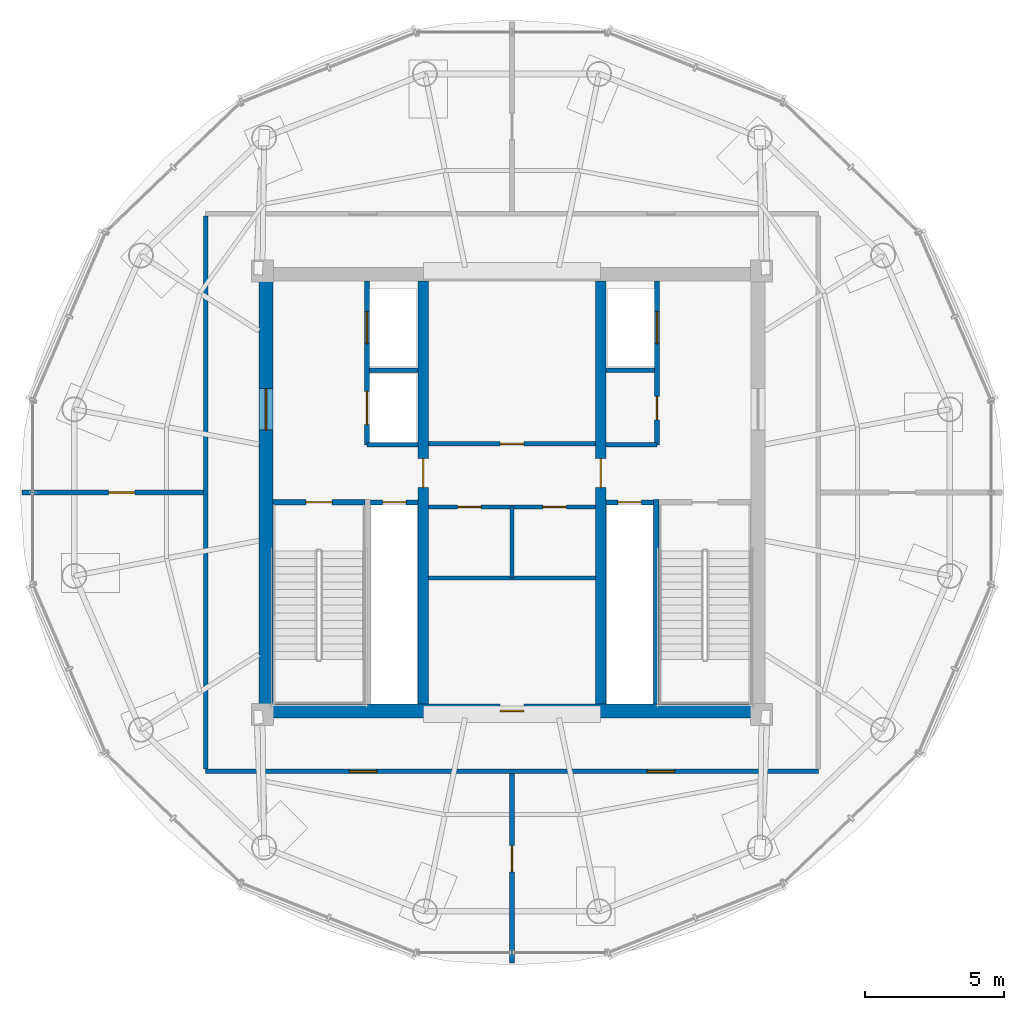
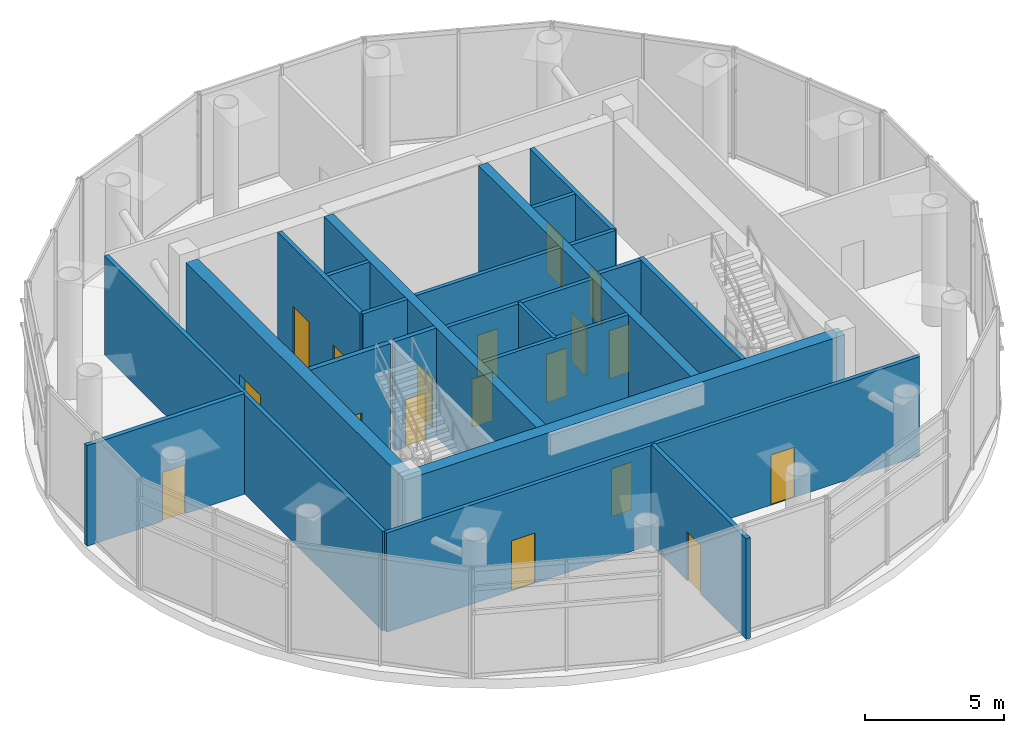
# One storey, part 12 of 15: 22 walls, 18 doors, 18 openings.
"""IFC4 building model written with IfcOpenShell, lengths in metres."""

import ifcopenshell
import ifcopenshell.guid

model = None  # the IFC model being written
_history = None  # IfcOwnerHistory: only IFC2X3 demands one
_inside = {}  # id of a spatial element -> (the spatial element, [elements in it])
_under = {}  # id of a project, library or spatial element -> (it, [spatial elements below it])
_declared = {}  # id of a project -> (the project, [libraries it declares])
_typed = {}  # id of a type object -> (the type object, [elements of that type])
_made_of = {}  # id of a material, layer set ... -> (it, [elements and type objects made of it])


def new_model(schema):
    """Start an empty IFC model of exactly this schema.

    Asked for "IFC4X3", IfcOpenShell would pick the latest addendum, in which some entities
    have other attributes; the version numbers below select the first issue.
    IFC2X3 requires an IfcOwnerHistory on every rooted entity: one is made here for all.
    """
    global model, _history
    if schema == "IFC4X3":
        model = ifcopenshell.file(schema_version=(4, 3, 0, 0))
    else:
        model = ifcopenshell.file(schema=schema)
    _inside.clear()
    _under.clear()
    _declared.clear()
    _typed.clear()
    _made_of.clear()
    _history = None
    if model.schema == "IFC2X3":
        org = make("IfcOrganization", Name="unknown")
        user = make(
            "IfcPersonAndOrganization",
            ThePerson=make("IfcPerson", FamilyName="unknown"),
            TheOrganization=org,
        )
        app = make(
            "IfcApplication",
            ApplicationDeveloper=org,
            Version="unknown",
            ApplicationFullName="unknown",
            ApplicationIdentifier="unknown",
        )
        _history = make(
            "IfcOwnerHistory",
            OwningUser=user,
            OwningApplication=app,
            ChangeAction="ADDED",
            CreationDate=0,
        )
    return model


def make(cls, **values):
    """One entity of the class cls with the attributes given. An attribute that is None is left unset."""
    return model.create_entity(
        cls, **{name: value for name, value in values.items() if value is not None}
    )


def rooted(cls, **values):
    """An entity with a GlobalId (a new one), such as an element, a storey or a relation."""
    return make(cls, GlobalId=ifcopenshell.guid.new(), OwnerHistory=_history, **values)


def si_unit(unit_type, name, prefix=None):
    """IfcSIUnit, for example si_unit("LENGTHUNIT", "METRE", prefix="MILLI")."""
    return make("IfcSIUnit", UnitType=unit_type, Prefix=prefix, Name=name)


def assignment(units):
    """IfcUnitAssignment: the units of a project."""
    return None if units is None else make("IfcUnitAssignment", Units=units)


def point(xyz):
    """IfcCartesianPoint."""
    return None if xyz is None else make("IfcCartesianPoint", Coordinates=xyz)


def direction(xyz):
    """IfcDirection."""
    return None if xyz is None else make("IfcDirection", DirectionRatios=xyz)


def frame(location, z_axis=None, x_axis=None):
    """IfcAxis2Placement3D, a coordinate frame: its origin and axes. An axis left out is left unset."""
    return make(
        "IfcAxis2Placement3D",
        Location=point(location),
        Axis=direction(z_axis),
        RefDirection=direction(x_axis),
    )


def frame_2d(location, x_axis=None):
    """IfcAxis2Placement2D, a coordinate frame in the plane: its origin and x axis."""
    return make(
        "IfcAxis2Placement2D", Location=point(location), RefDirection=direction(x_axis)
    )


def origin():
    """The frame at (0, 0, 0) with its axes left unset."""
    return frame((0.0, 0.0, 0.0))


def place(relative_to, where):
    """IfcLocalPlacement: puts the frame where relative to a parent placement (None: the world)."""
    return make(
        "IfcLocalPlacement", PlacementRelTo=relative_to, RelativePlacement=where
    )


def context(
    kind, dimensions, precision=None, world=None, true_north=None, identifier=None
):
    """IfcGeometricRepresentationContext, for example the 3D "Model" context."""
    return make(
        "IfcGeometricRepresentationContext",
        ContextIdentifier=identifier,
        ContextType=kind,
        CoordinateSpaceDimension=dimensions,
        Precision=precision,
        WorldCoordinateSystem=world,
        TrueNorth=true_north,
    )


def subcontext(parent, identifier, kind, view, scale=None):
    """IfcGeometricRepresentationSubContext, for example "Body" below "Model"."""
    return make(
        "IfcGeometricRepresentationSubContext",
        ContextIdentifier=identifier,
        ContextType=kind,
        ParentContext=parent,
        TargetScale=scale,
        TargetView=view,
    )


def project(units=None, contexts=None):
    """IfcProject with its units and contexts."""
    return rooted(
        "IfcProject",
        Name="project",
        RepresentationContexts=contexts,
        UnitsInContext=assignment(units),
    )


def spatial(cls, under=None, at=None, **own):
    """A site, building, storey or space (cls), placed at a placement, below another one or the project."""
    s = rooted(cls, ObjectPlacement=at, **own)
    if under is not None:
        _under.setdefault(under.id(), (under, []))[1].append(s)
    return s


def profile(cls, at=None, kind="AREA", **sizes):
    """A parametric profile (cls). Its sizes go by their IFC names, for example OverallWidth=200.0."""
    return make(cls, ProfileType=kind, Position=at, **sizes)


def rectangle(**sizes):
    """IfcRectangleProfileDef."""
    return profile("IfcRectangleProfileDef", **sizes)


def extrude(swept, where, along, depth):
    """IfcExtrudedAreaSolid: the profile swept, set in the frame where, extruded along a direction by depth."""
    return make(
        "IfcExtrudedAreaSolid",
        SweptArea=swept,
        Position=where,
        ExtrudedDirection=direction(along),
        Depth=depth,
    )


def shape(context_of_items, identifier, shape_type, items):
    """IfcShapeRepresentation: the items that make up one representation, for example the "Body"."""
    return make(
        "IfcShapeRepresentation",
        ContextOfItems=context_of_items,
        RepresentationIdentifier=identifier,
        RepresentationType=shape_type,
        Items=items,
    )


def source(mapping_origin, context_of_items, identifier, shape_type, items):
    """IfcRepresentationMap: a shape defined once, which mapped items show again and again."""
    return make(
        "IfcRepresentationMap",
        MappingOrigin=mapping_origin,
        MappedRepresentation=shape(context_of_items, identifier, shape_type, items),
    )


def transform(
    local_origin,
    x_axis=None,
    y_axis=None,
    z_axis=None,
    scale=None,
    scale2=None,
    scale3=None,
    uniform=True,
):
    """IfcCartesianTransformationOperator3D, or its non-uniform kind. x_axis, y_axis, z_axis: its Axis1, 2, 3."""
    if uniform:
        return make(
            "IfcCartesianTransformationOperator3D",
            Axis1=direction(x_axis),
            Axis2=direction(y_axis),
            LocalOrigin=point(local_origin),
            Scale=scale,
            Axis3=direction(z_axis),
        )
    return make(
        "IfcCartesianTransformationOperator3DnonUniform",
        Axis1=direction(x_axis),
        Axis2=direction(y_axis),
        LocalOrigin=point(local_origin),
        Scale=scale,
        Axis3=direction(z_axis),
        Scale2=scale2,
        Scale3=scale3,
    )


def mapped(mapping_source, mapping_target):
    """IfcMappedItem: shows the shape of a source again, moved by a transform."""
    return make(
        "IfcMappedItem", MappingSource=mapping_source, MappingTarget=mapping_target
    )


def material(Name=None, Category=None):
    """IfcMaterial."""
    return make("IfcMaterial", Name=Name, Category=Category)


def layer(
    of_material, thickness, ventilated=None, Name=None, Category=None, Priority=None
):
    """IfcMaterialLayer: one layer of a wall or slab, of a material (None: an air gap)."""
    return make(
        "IfcMaterialLayer",
        Material=of_material,
        LayerThickness=thickness,
        IsVentilated=ventilated,
        Name=Name,
        Category=Category,
        Priority=Priority,
    )


def layer_set(layers, Name=None):
    """IfcMaterialLayerSet."""
    return make("IfcMaterialLayerSet", MaterialLayers=layers, LayerSetName=Name)


def made_of(thing, what):
    """Note that an element or type object is made of a material, layer set ...; save() writes the relation."""
    if what is not None:
        _made_of.setdefault(what.id(), (what, []))[1].append(thing)
    return thing


def type_object(cls, material=None, **own):
    """A type object (cls), such as IfcWallType, which elements share."""
    return made_of(rooted(cls, **own), material)


def element(
    cls,
    number,
    at=None,
    inside=None,
    cuts=None,
    type_object=None,
    material=None,
    context=None,
    identifier="Body",
    shape_type=None,
    held_by="IfcProductDefinitionShape",
    body=None,
    shapes=None,
    **own,
):
    """One element of the class cls, such as IfcWall. Its Tag is "e" and its number.

    at: its placement. inside: the storey or other place that contains it. cuts: it is an
    opening in that element (IfcRelVoidsElement). A single representation is given by context,
    identifier, shape_type and body (its items); several are given by shapes. held_by: the class
    of the entity that holds the representations. save() writes the other relations.
    """
    e = rooted(cls, Tag="e%d" % number, ObjectPlacement=at, **own)
    if body is not None:
        shapes = [shape(context, identifier, shape_type, body)]
    if shapes is not None:
        e.Representation = make(held_by, Representations=shapes)
    if inside is not None:
        _inside.setdefault(inside.id(), (inside, []))[1].append(e)
    if cuts is not None:
        rooted(
            "IfcRelVoidsElement", RelatingBuildingElement=cuts, RelatedOpeningElement=e
        )
    if type_object is not None:
        _typed.setdefault(type_object.id(), (type_object, []))[1].append(e)
    return made_of(e, material)


def fill(opening, filler):
    """IfcRelFillsElement: the door or window that sits in an opening."""
    return rooted(
        "IfcRelFillsElement",
        RelatingOpeningElement=opening,
        RelatedBuildingElement=filler,
    )


def aggregate(whole, parts):
    """IfcRelAggregates: a whole, such as a stair, and the parts it consists of."""
    return rooted("IfcRelAggregates", RelatingObject=whole, RelatedObjects=parts)


def save(model, path):
    """Write the relations noted so far, then the file.

    IfcRelAggregates (storeys below a building ...), IfcRelContainedInSpatialStructure (elements
    in a storey), IfcRelDefinesByType, IfcRelAssociatesMaterial and IfcRelDeclares: one each for
    every whole, place, type object, material and project.
    """
    for whole, parts in _under.values():
        aggregate(whole, parts)
    for where, things in _inside.values():
        rooted(
            "IfcRelContainedInSpatialStructure",
            RelatedElements=things,
            RelatingStructure=where,
        )
    for kind, things in _typed.values():
        rooted("IfcRelDefinesByType", RelatedObjects=things, RelatingType=kind)
    for what, things in _made_of.values():
        rooted("IfcRelAssociatesMaterial", RelatedObjects=things, RelatingMaterial=what)
    for by, libraries in _declared.values():
        rooted("IfcRelDeclares", RelatingContext=by, RelatedDefinitions=libraries)
    model.write(path)


model = new_model("IFC4")

# Units and contexts
model_context = context("Model", 3, precision=1e-05, world=origin(), true_north=direction((-0.2419218956, 0.970295726276)))
body_context = subcontext(model_context, "Body", "Model", "MODEL_VIEW")
ifc_project = project(units=[si_unit("LENGTHUNIT", "METRE"), si_unit("AREAUNIT", "SQUARE_METRE"), si_unit("VOLUMEUNIT", "CUBIC_METRE"), si_unit("PLANEANGLEUNIT", "RADIAN"), si_unit("MASSUNIT", "GRAM", prefix="KILO")], contexts=[model_context])

# Site, building, storey
site_placement = place(None, origin())
site = spatial("IfcSite", under=ifc_project, at=site_placement, CompositionType="ELEMENT")
building_placement = place(site_placement, origin())
building = spatial("IfcBuilding", under=site, at=building_placement, Name="Cobrevalo Terracotta Tower", CompositionType="ELEMENT")
storey_placement = place(building_placement, frame((0.0, 0.0, 316.5)))
storey = spatial("IfcBuildingStorey", under=building, at=storey_placement, Name="L82", CompositionType="ELEMENT", Elevation=316.5)

# Wall, opening, door
ifc_material_1 = material(Name="Concrete C50", Category="concrete")
ifc_layer_1 = layer(ifc_material_1, 0.5)
ifc_layer_set_1 = layer_set([ifc_layer_1], Name="Concrete C50")
wall_type_1 = type_object("IfcWallType", Name="Crown core shear wall 500 mm Concrete C50", PredefinedType="SHEAR", material=ifc_layer_set_1)
wall_1_placement = place(storey_placement, frame((28.875, 18.925048828125, 0.0), z_axis=(0.0, 0.0, 1.0), x_axis=(1.0, 0.0, 0.0)))
wall_1 = element("IfcWall", 1, at=wall_1_placement, inside=storey, type_object=wall_type_1, Name="L82 south core shear wall", PredefinedType="SHEAR", context=body_context, shape_type="SweptSolid", body=[
    extrude(rectangle(XDim=18.25, YDim=0.5, at=frame_2d((9.125, 0.0))), origin(), (0.0, 0.0, 1.0), 4.780029296875),
])
opening_1_placement = place(wall_1_placement, frame((8.699951171875, 0.0, 0.0)))
opening_1 = element("IfcOpeningElement", 2, at=opening_1_placement, cuts=wall_1, Name="Opening ID-22", PredefinedType="OPENING", context=body_context, shape_type="SweptSolid", body=[
    extrude(rectangle(XDim=0.85009765625, YDim=2.10009765625, at=frame_2d((0.425048828125, 1.050048828125))), frame((0.0, 0.260009765625, 0.0), z_axis=(0.0, -1.0, 0.0), x_axis=(1.0, 0.0, 0.0)), (0.0, 0.0, 1.0), 0.52001953125),
])
ifc_material_2 = material(Name="Powder-coated steel", Category="steel")
door_type_1 = type_object("IfcDoorType", Name="Riser shaft & meter closet fire access door 850x2100 EI 60", OperationType="NOTDEFINED", PredefinedType="DOOR", material=ifc_material_2)
shared_shape_1 = source(origin(), body_context, "Body", "SweptSolid", [
    extrude(rectangle(XDim=0.85009765625, YDim=2.10009765625, at=frame_2d((0.425048828125, 1.050048828125))), frame((0.0, 0.02490234375, 0.0), z_axis=(0.0, -1.0, 0.0), x_axis=(1.0, 0.0, 0.0)), (0.0, 0.0, 1.0), 0.050048828125),
])
door_1_placement = place(opening_1_placement, origin())
door_1 = element("IfcDoor", 3, at=door_1_placement, inside=storey, type_object=door_type_1, Name="L82 core south plant door Crown Smoke Extract Fan Plant", OperationType="SINGLE_SWING_RIGHT", OverallHeight=2.10009765625, OverallWidth=0.85009765625, PredefinedType="DOOR", context=body_context, shape_type="MappedRepresentation", body=[
    mapped(shared_shape_1, transform((0.0, 0.0, 0.0), scale=1.0)),
])
fill(opening_1, door_1)

wall_2_placement = place(storey_placement, frame((29.125, 19.175048828125, 0.0), z_axis=(0.0, 0.0, 1.0), x_axis=(0.0, 1.0, 0.0)))
wall_2 = element("IfcWall", 4, at=wall_2_placement, inside=storey, type_object=wall_type_1, Name="L82 west core shear wall", PredefinedType="SHEAR", context=body_context, shape_type="SweptSolid", body=[
    extrude(rectangle(XDim=15.25, YDim=0.5, at=frame_2d((7.625, 0.0))), origin(), (0.0, 0.0, 1.0), 4.780029296875),
])
opening_2_placement = place(wall_2_placement, frame((9.875, 0.0, 0.0)))
opening_2 = element("IfcOpeningElement", 5, at=opening_2_placement, cuts=wall_2, Name="Opening ID-14", PredefinedType="OPENING", context=body_context, shape_type="SweptSolid", body=[
    extrude(rectangle(XDim=1.5, YDim=2.199951171875, at=frame_2d((0.75, 1.10009765625))), frame((0.0, 0.260009765625, 0.0), z_axis=(0.0, -1.0, 0.0), x_axis=(1.0, 0.0, 0.0)), (0.0, 0.0, 1.0), 0.52001953125),
])
ifc_material_3 = material(Name="Galvanized fire-rated steel", Category="steel")
door_type_2 = type_object("IfcDoorType", Name="Core cross-lobby double fire door 1500x2200 EI 90", OperationType="NOTDEFINED", PredefinedType="DOOR", material=ifc_material_3)
shared_shape_2 = source(origin(), body_context, "Body", "SweptSolid", [
    extrude(rectangle(XDim=1.5, YDim=2.199951171875, at=frame_2d((0.75, 1.10009765625))), frame((0.0, 0.02490234375, 0.0), z_axis=(0.0, -1.0, 0.0), x_axis=(1.0, 0.0, 0.0)), (0.0, 0.0, 1.0), 0.050048828125),
])
door_2_placement = place(opening_2_placement, origin())
door_2 = element("IfcDoor", 6, at=door_2_placement, inside=storey, type_object=door_type_2, Name="L82 west firefighting lobby entrance door", OperationType="DOUBLE_DOOR_SINGLE_SWING", OverallHeight=2.199951171875, OverallWidth=1.5, PredefinedType="DOOR", context=body_context, shape_type="MappedRepresentation", body=[
    mapped(shared_shape_2, transform((0.0, 0.0, 0.0), scale=1.0)),
])
fill(opening_2, door_2)

# Walls
ifc_material_4 = material(Name="Gypsum board on steel stud", Category="steel")
ifc_layer_2 = layer(ifc_material_4, 0.159912109375)
ifc_layer_set_2 = layer_set([ifc_layer_2], Name="Gypsum board on steel stud")
wall_type_2 = type_object("IfcWallType", Name="Fire-rated corridor acoustic partition wall 160 mm", PredefinedType="PARTITIONING", material=ifc_layer_set_2)
wall_3_placement = place(storey_placement, frame((32.860107421875, 31.219970703125, 0.0), z_axis=(0.0, 0.0, 1.0), x_axis=(1.0, 0.0, 0.0)))
element("IfcWall", 7, at=wall_3_placement, inside=storey, type_object=wall_type_2, Name="L82 interior partition IW-L82-FF1-M", PredefinedType="PARTITIONING", context=body_context, shape_type="SweptSolid", body=[
    extrude(rectangle(XDim=1.75, YDim=0.159912109375, at=frame_2d((0.875, 0.0))), origin(), (0.0, 0.0, 1.0), 4.780029296875),
])
wall_4_placement = place(storey_placement, frame((32.77001953125, 28.52001953125, 0.0), z_axis=(0.0, 0.0, 1.0), x_axis=(1.0, 0.0, 0.0)))
element("IfcWall", 8, at=wall_4_placement, inside=storey, type_object=wall_type_2, Name="L82 interior partition IW-L82-FF1-S", PredefinedType="PARTITIONING", context=body_context, shape_type="SweptSolid", body=[
    extrude(rectangle(XDim=1.840087890625, YDim=0.159912109375, at=frame_2d((0.919921875, 0.0))), origin(), (0.0, 0.0, 1.0), 4.780029296875),
])
wall_5_placement = place(storey_placement, frame((41.389892578125, 31.219970703125, 0.0), z_axis=(0.0, 0.0, 1.0), x_axis=(1.0, 0.0, 0.0)))
element("IfcWall", 9, at=wall_5_placement, inside=storey, type_object=wall_type_2, Name="L82 interior partition IW-L82-FF2-M", PredefinedType="PARTITIONING", context=body_context, shape_type="SweptSolid", body=[
    extrude(rectangle(XDim=1.75, YDim=0.159912109375, at=frame_2d((0.875, 0.0))), origin(), (0.0, 0.0, 1.0), 4.780029296875),
])
wall_6_placement = place(storey_placement, frame((41.389892578125, 28.52001953125, 0.0), z_axis=(0.0, 0.0, 1.0), x_axis=(1.0, 0.0, 0.0)))
element("IfcWall", 10, at=wall_6_placement, inside=storey, type_object=wall_type_2, Name="L82 interior partition IW-L82-FF2-S", PredefinedType="PARTITIONING", context=body_context, shape_type="SweptSolid", body=[
    extrude(rectangle(XDim=1.840087890625, YDim=0.159912109375, at=frame_2d((0.919921875, 0.0))), origin(), (0.0, 0.0, 1.0), 4.780029296875),
])

# Wall, opening, door
wall_7_placement = place(storey_placement, frame((34.989990234375, 28.56005859375, 0.0), z_axis=(0.0, 0.0, 1.0), x_axis=(1.0, 0.0, 0.0)))
wall_7 = element("IfcWall", 11, at=wall_7_placement, inside=storey, type_object=wall_type_2, Name="L82 interior partition IW-L82-LB-S", PredefinedType="PARTITIONING", context=body_context, shape_type="SweptSolid", body=[
    extrude(rectangle(XDim=6.02001953125, YDim=0.159912109375, at=frame_2d((3.010009765625, 0.0))), origin(), (0.0, 0.0, 1.0), 4.780029296875),
])
opening_3_placement = place(wall_7_placement, frame((2.5849609375, 0.0, 0.0)))
opening_3 = element("IfcOpeningElement", 12, at=opening_3_placement, cuts=wall_7, Name="Opening ID-22", PredefinedType="OPENING", context=body_context, shape_type="SweptSolid", body=[
    extrude(rectangle(XDim=0.85009765625, YDim=2.10009765625, at=frame_2d((0.425048828125, 1.050048828125))), frame((0.0, 0.08984375, 0.0), z_axis=(0.0, -1.0, 0.0), x_axis=(1.0, 0.0, 0.0)), (0.0, 0.0, 1.0), 0.179931640625),
])
door_3_placement = place(opening_3_placement, origin())
door_3 = element("IfcDoor", 13, at=door_3_placement, inside=storey, type_object=door_type_1, Name="L82 core service door Crown HV Switchroom Plant", OperationType="SINGLE_SWING_LEFT", OverallHeight=2.10009765625, OverallWidth=0.85009765625, PredefinedType="DOOR", context=body_context, shape_type="MappedRepresentation", body=[
    mapped(shared_shape_1, transform((0.0, 0.0, 0.0), scale=1.0)),
])
fill(opening_3, door_3)

# Wall, openings, doors
wall_8_placement = place(storey_placement, frame((34.989990234375, 26.280029296875, 0.0), z_axis=(0.0, 0.0, 1.0), x_axis=(1.0, 0.0, 0.0)))
wall_8 = element("IfcWall", 14, at=wall_8_placement, inside=storey, type_object=wall_type_2, Name="L82 interior partition IW-L82-MB-N", PredefinedType="PARTITIONING", context=body_context, shape_type="SweptSolid", body=[
    extrude(rectangle(XDim=6.02001953125, YDim=0.159912109375, at=frame_2d((3.010009765625, 0.0))), origin(), (0.0, 0.0, 1.0), 4.780029296875),
])
opening_4_placement = place(wall_8_placement, frame((1.044921875, 0.0, 0.0)))
opening_4 = element("IfcOpeningElement", 15, at=opening_4_placement, cuts=wall_8, Name="Opening ID-22", PredefinedType="OPENING", context=body_context, shape_type="SweptSolid", body=[
    extrude(rectangle(XDim=0.85009765625, YDim=2.10009765625, at=frame_2d((0.425048828125, 1.050048828125))), frame((0.0, 0.08984375, 0.0), z_axis=(0.0, -1.0, 0.0), x_axis=(1.0, 0.0, 0.0)), (0.0, 0.0, 1.0), 0.179931640625),
])
opening_5_placement = place(wall_8_placement, frame((4.125, 0.0, 0.0)))
opening_5 = element("IfcOpeningElement", 16, at=opening_5_placement, cuts=wall_8, Name="Opening ID-22", PredefinedType="OPENING", context=body_context, shape_type="SweptSolid", body=[
    extrude(rectangle(XDim=0.85009765625, YDim=2.10009765625, at=frame_2d((0.425048828125, 1.050048828125))), frame((0.0, 0.08984375, 0.0), z_axis=(0.0, -1.0, 0.0), x_axis=(1.0, 0.0, 0.0)), (0.0, 0.0, 1.0), 0.179931640625),
])
door_4_placement = place(opening_4_placement, frame((0.85009765625, 0.0, 0.0), z_axis=(0.0, 0.0, 1.0), x_axis=(-1.0, 0.0, 0.0)))
door_4 = element("IfcDoor", 17, at=door_4_placement, inside=storey, type_object=door_type_1, Name="L82 core room door Crown Chilled Water Pump Plant", OperationType="SINGLE_SWING_RIGHT", OverallHeight=2.10009765625, OverallWidth=0.85009765625, PredefinedType="DOOR", context=body_context, shape_type="MappedRepresentation", body=[
    mapped(shared_shape_1, transform((0.0, 0.0, 0.0), scale=1.0)),
])
fill(opening_4, door_4)
door_5_placement = place(opening_5_placement, frame((0.85009765625, 0.0, 0.0), z_axis=(0.0, 0.0, 1.0), x_axis=(-1.0, 0.0, 0.0)))
door_5 = element("IfcDoor", 18, at=door_5_placement, inside=storey, type_object=door_type_1, Name="L82 core room door Crown Lift Motor Mechanical Plant", OperationType="SINGLE_SWING_RIGHT", OverallHeight=2.10009765625, OverallWidth=0.85009765625, PredefinedType="DOOR", context=body_context, shape_type="MappedRepresentation", body=[
    mapped(shared_shape_1, transform((0.0, 0.0, 0.0), scale=1.0)),
])
fill(opening_5, door_5)

# Wall
wall_9_placement = place(storey_placement, frame((34.989990234375, 23.719970703125, 0.0), z_axis=(0.0, 0.0, 1.0), x_axis=(1.0, 0.0, 0.0)))
element("IfcWall", 19, at=wall_9_placement, inside=storey, type_object=wall_type_2, Name="L82 interior partition IW-L82-MB-S", PredefinedType="PARTITIONING", context=body_context, shape_type="SweptSolid", body=[
    extrude(rectangle(XDim=6.02001953125, YDim=0.159912109375, at=frame_2d((3.010009765625, 0.0))), origin(), (0.0, 0.0, 1.0), 4.780029296875),
])

# Wall, openings, doors
wall_10_placement = place(storey_placement, frame((26.945068359375, 16.7451171875, 0.0), z_axis=(0.0, 0.0, 1.0), x_axis=(1.0, 0.0, 0.0)))
wall_10 = element("IfcWall", 20, at=wall_10_placement, inside=storey, type_object=wall_type_2, Name="L82 interior partition IW-L82-COR-S", PredefinedType="PARTITIONING", context=body_context, shape_type="SweptSolid", body=[
    extrude(rectangle(XDim=22.10986328125, YDim=0.159912109375, at=frame_2d((11.054931640625, 0.0))), origin(), (0.0, 0.0, 1.0), 4.35205078125),
])
opening_6_placement = place(wall_10_placement, frame((5.18701171875, 0.0, 0.0)))
opening_6 = element("IfcOpeningElement", 21, at=opening_6_placement, cuts=wall_10, Name="Opening ID-05", PredefinedType="OPENING", context=body_context, shape_type="SweptSolid", body=[
    extrude(rectangle(XDim=0.97998046875, YDim=2.199951171875, at=frame_2d((0.489990234375, 1.10009765625))), frame((0.0, 0.08984375, 0.0), z_axis=(0.0, -1.0, 0.0), x_axis=(1.0, 0.0, 0.0)), (0.0, 0.0, 1.0), 0.179931640625),
])
opening_7_placement = place(wall_10_placement, frame((15.943115234375, 0.0, 0.0)))
opening_7 = element("IfcOpeningElement", 22, at=opening_7_placement, cuts=wall_10, Name="Opening ID-05", PredefinedType="OPENING", context=body_context, shape_type="SweptSolid", body=[
    extrude(rectangle(XDim=0.97998046875, YDim=2.199951171875, at=frame_2d((0.489990234375, 1.10009765625))), frame((0.0, 0.08984375, 0.0), z_axis=(0.0, -1.0, 0.0), x_axis=(1.0, 0.0, 0.0)), (0.0, 0.0, 1.0), 0.179931640625),
])
ifc_material_5 = material(Name="Solid hardwood timber", Category="wood")
door_type_3 = type_object("IfcDoorType", Name="Residence entrance fire-rated acoustic timber door 980x2200 EI 60", OperationType="NOTDEFINED", PredefinedType="DOOR", material=ifc_material_5)
shared_shape_3 = source(origin(), body_context, "Body", "SweptSolid", [
    extrude(rectangle(XDim=0.97998046875, YDim=2.199951171875, at=frame_2d((0.489990234375, 1.10009765625))), frame((0.0, 0.02490234375, 0.0), z_axis=(0.0, -1.0, 0.0), x_axis=(1.0, 0.0, 0.0)), (0.0, 0.0, 1.0), 0.050048828125),
])
door_6_placement = place(opening_6_placement, origin())
door_6 = element("IfcDoor", 23, at=door_6_placement, inside=storey, type_object=door_type_3, Name="L82 Crown Water Tank Room door", OperationType="SINGLE_SWING_LEFT", OverallHeight=2.199951171875, OverallWidth=0.97998046875, PredefinedType="DOOR", context=body_context, shape_type="MappedRepresentation", body=[
    mapped(shared_shape_3, transform((0.0, 0.0, 0.0), scale=1.0)),
])
fill(opening_6, door_6)
door_7_placement = place(opening_7_placement, origin())
door_7 = element("IfcDoor", 24, at=door_7_placement, inside=storey, type_object=door_type_3, Name="L82 Crown Switchroom Plant door", OperationType="SINGLE_SWING_RIGHT", OverallHeight=2.199951171875, OverallWidth=0.97998046875, PredefinedType="DOOR", context=body_context, shape_type="MappedRepresentation", body=[
    mapped(shared_shape_3, transform((0.0, 0.0, 0.0), scale=1.0)),
])
fill(opening_7, door_7)

# Wall
wall_11_placement = place(storey_placement, frame((26.945068359375, 16.824951171875, 0.0), z_axis=(0.0, 0.0, 1.0), x_axis=(0.0, 1.0, 0.0)))
element("IfcWall", 25, at=wall_11_placement, inside=storey, type_object=wall_type_2, Name="L82 interior partition IW-L82-COR-W", PredefinedType="PARTITIONING", context=body_context, shape_type="SweptSolid", body=[
    extrude(rectangle(XDim=19.949951171875, YDim=0.159912109375, at=frame_2d((9.97509765625, 0.0))), origin(), (0.0, 0.0, 1.0), 4.35205078125),
])

# Wall, opening, door
ifc_layer_3 = layer(ifc_material_4, 0.179931640625)
ifc_layer_set_3 = layer_set([ifc_layer_3], Name="Gypsum board on steel stud")
wall_type_3 = type_object("IfcWallType", Name="Fire-rated shaft & lobby acoustic partition wall 180 mm", PredefinedType="PARTITIONING", material=ifc_layer_set_3)
wall_12_placement = place(storey_placement, frame((32.89990234375, 26.449951171875, 0.0), z_axis=(0.0, 0.0, 1.0), x_axis=(1.0, 0.0, 0.0)))
wall_12 = element("IfcWall", 26, at=wall_12_placement, inside=storey, type_object=wall_type_3, Name="L82 interior partition IW-L82-RSW-N", PredefinedType="PARTITIONING", context=body_context, shape_type="SweptSolid", body=[
    extrude(rectangle(XDim=1.710205078125, YDim=0.179931640625, at=frame_2d((0.85498046875, 0.0))), origin(), (0.0, 0.0, 1.0), 4.780029296875),
])
opening_8_placement = place(wall_12_placement, frame((0.429931640625, 0.0, 0.0)))
opening_8 = element("IfcOpeningElement", 27, at=opening_8_placement, cuts=wall_12, Name="Opening ID-22", PredefinedType="OPENING", context=body_context, shape_type="SweptSolid", body=[
    extrude(rectangle(XDim=0.85009765625, YDim=2.10009765625, at=frame_2d((0.425048828125, 1.050048828125))), frame((0.0, 0.10009765625, 0.0), z_axis=(0.0, -1.0, 0.0), x_axis=(1.0, 0.0, 0.0)), (0.0, 0.0, 1.0), 0.199951171875),
])
door_8_placement = place(opening_8_placement, origin())
door_8 = element("IfcDoor", 28, at=door_8_placement, inside=storey, type_object=door_type_1, Name="L82 riser access door RSW", OperationType="SINGLE_SWING_LEFT", OverallHeight=2.10009765625, OverallWidth=0.85009765625, PredefinedType="DOOR", context=body_context, shape_type="MappedRepresentation", body=[
    mapped(shared_shape_1, transform((0.0, 0.0, 0.0), scale=1.0)),
])
fill(opening_8, door_8)

wall_13_placement = place(storey_placement, frame((41.389892578125, 26.449951171875, 0.0), z_axis=(0.0, 0.0, 1.0), x_axis=(1.0, 0.0, 0.0)))
wall_13 = element("IfcWall", 29, at=wall_13_placement, inside=storey, type_object=wall_type_3, Name="L82 interior partition IW-L82-RSE-N", PredefinedType="PARTITIONING", context=body_context, shape_type="SweptSolid", body=[
    extrude(rectangle(XDim=1.710205078125, YDim=0.179931640625, at=frame_2d((0.85498046875, 0.0))), origin(), (0.0, 0.0, 1.0), 4.780029296875),
])
opening_9_placement = place(wall_13_placement, frame((0.429931640625, 0.0, 0.0)))
opening_9 = element("IfcOpeningElement", 30, at=opening_9_placement, cuts=wall_13, Name="Opening ID-22", PredefinedType="OPENING", context=body_context, shape_type="SweptSolid", body=[
    extrude(rectangle(XDim=0.85009765625, YDim=2.10009765625, at=frame_2d((0.425048828125, 1.050048828125))), frame((0.0, 0.10009765625, 0.0), z_axis=(0.0, -1.0, 0.0), x_axis=(1.0, 0.0, 0.0)), (0.0, 0.0, 1.0), 0.199951171875),
])
door_9_placement = place(opening_9_placement, origin())
door_9 = element("IfcDoor", 31, at=door_9_placement, inside=storey, type_object=door_type_1, Name="L82 riser access door RSE", OperationType="SINGLE_SWING_RIGHT", OverallHeight=2.10009765625, OverallWidth=0.85009765625, PredefinedType="DOOR", context=body_context, shape_type="MappedRepresentation", body=[
    mapped(shared_shape_1, transform((0.0, 0.0, 0.0), scale=1.0)),
])
fill(opening_9, door_9)

# Wall, openings, doors
wall_14_placement = place(storey_placement, frame((32.77001953125, 28.52001953125, 0.0), z_axis=(0.0, 0.0, 1.0), x_axis=(0.0, 1.0, 0.0)))
wall_14 = element("IfcWall", 32, at=wall_14_placement, inside=storey, type_object=wall_type_3, Name="L82 interior partition IW-L82-FF1-W", PredefinedType="PARTITIONING", context=body_context, shape_type="SweptSolid", body=[
    extrude(rectangle(XDim=5.905029296875, YDim=0.179931640625, at=frame_2d((2.95263671875, 0.0))), origin(), (0.0, 0.0, 1.0), 4.780029296875),
])
opening_10_placement = place(wall_14_placement, frame((3.655029296875, 0.0, 0.0)))
opening_10 = element("IfcOpeningElement", 33, at=opening_10_placement, cuts=wall_14, Name="Opening LD-02", PredefinedType="OPENING", context=body_context, shape_type="SweptSolid", body=[
    extrude(rectangle(XDim=1.14990234375, YDim=2.199951171875, at=frame_2d((0.574951171875, 1.10009765625))), frame((0.0, 0.10009765625, 0.0), z_axis=(0.0, -1.0, 0.0), x_axis=(1.0, 0.0, 0.0)), (0.0, 0.0, 1.0), 0.199951171875),
])
opening_11_placement = place(wall_14_placement, frame((0.72998046875, 0.0, 0.0)))
opening_11 = element("IfcOpeningElement", 34, at=opening_11_placement, cuts=wall_14, Name="Opening LD-03", PredefinedType="OPENING", context=body_context, shape_type="SweptSolid", body=[
    extrude(rectangle(XDim=1.199951171875, YDim=2.25, at=frame_2d((0.60009765625, 1.125))), frame((0.0, 0.10009765625, 0.0), z_axis=(0.0, -1.0, 0.0), x_axis=(1.0, 0.0, 0.0)), (0.0, 0.0, 1.0), 0.199951171875),
])
ifc_material_6 = material(Name="Brushed stainless steel", Category="steel")
door_type_4 = type_object("IfcDoorType", Name="Firefighting lift landing bi-parting sliding door 1150x2200 EI 120", OperationType="DOUBLE_DOOR_SLIDING", PredefinedType="DOOR", material=ifc_material_6)
shared_shape_4 = source(origin(), body_context, "Body", "SweptSolid", [
    extrude(rectangle(XDim=1.14990234375, YDim=2.199951171875, at=frame_2d((0.574951171875, 1.10009765625))), frame((0.0, 0.02490234375, 0.0), z_axis=(0.0, -1.0, 0.0), x_axis=(1.0, 0.0, 0.0)), (0.0, 0.0, 1.0), 0.050048828125),
])
door_10_placement = place(opening_10_placement, origin())
door_10 = element("IfcDoor", 35, at=door_10_placement, inside=storey, type_object=door_type_4, Name="L82 lift landing door FF-1", OperationType="DOUBLE_DOOR_SLIDING", OverallHeight=2.199951171875, OverallWidth=1.14990234375, PredefinedType="DOOR", context=body_context, shape_type="MappedRepresentation", body=[
    mapped(shared_shape_4, transform((0.0, 0.0, 0.0), scale=1.0)),
])
fill(opening_10, door_10)
door_type_5 = type_object("IfcDoorType", Name="Service lift landing bi-parting sliding door 1200x2250 EI 120", OperationType="DOUBLE_DOOR_SLIDING", PredefinedType="DOOR", material=ifc_material_6)
shared_shape_5 = source(origin(), body_context, "Body", "SweptSolid", [
    extrude(rectangle(XDim=1.199951171875, YDim=2.25, at=frame_2d((0.60009765625, 1.125))), frame((0.0, 0.02490234375, 0.0), z_axis=(0.0, -1.0, 0.0), x_axis=(1.0, 0.0, 0.0)), (0.0, 0.0, 1.0), 0.050048828125),
])
door_11_placement = place(opening_11_placement, origin())
door_11 = element("IfcDoor", 36, at=door_11_placement, inside=storey, type_object=door_type_5, Name="L82 lift landing door SV-1", OperationType="DOUBLE_DOOR_SLIDING", OverallHeight=2.25, OverallWidth=1.199951171875, PredefinedType="DOOR", context=body_context, shape_type="MappedRepresentation", body=[
    mapped(shared_shape_5, transform((0.0, 0.0, 0.0), scale=1.0)),
])
fill(opening_11, door_11)

wall_15_placement = place(storey_placement, frame((43.22998046875, 28.52001953125, 0.0), z_axis=(0.0, 0.0, 1.0), x_axis=(0.0, 1.0, 0.0)))
wall_15 = element("IfcWall", 37, at=wall_15_placement, inside=storey, type_object=wall_type_3, Name="L82 interior partition IW-L82-FF2-E", PredefinedType="PARTITIONING", context=body_context, shape_type="SweptSolid", body=[
    extrude(rectangle(XDim=5.905029296875, YDim=0.179931640625, at=frame_2d((2.95263671875, 0.0))), origin(), (0.0, 0.0, 1.0), 4.780029296875),
])
opening_12_placement = place(wall_15_placement, frame((0.905029296875, 0.0, 0.0)))
opening_12 = element("IfcOpeningElement", 38, at=opening_12_placement, cuts=wall_15, Name="Opening ID-22", PredefinedType="OPENING", context=body_context, shape_type="SweptSolid", body=[
    extrude(rectangle(XDim=0.85009765625, YDim=2.10009765625, at=frame_2d((0.425048828125, 1.050048828125))), frame((0.0, 0.10009765625, 0.0), z_axis=(0.0, -1.0, 0.0), x_axis=(1.0, 0.0, 0.0)), (0.0, 0.0, 1.0), 0.199951171875),
])
opening_13_placement = place(wall_15_placement, frame((3.655029296875, 0.0, 0.0)))
opening_13 = element("IfcOpeningElement", 39, at=opening_13_placement, cuts=wall_15, Name="Opening LD-02", PredefinedType="OPENING", context=body_context, shape_type="SweptSolid", body=[
    extrude(rectangle(XDim=1.14990234375, YDim=2.199951171875, at=frame_2d((0.574951171875, 1.10009765625))), frame((0.0, 0.10009765625, 0.0), z_axis=(0.0, -1.0, 0.0), x_axis=(1.0, 0.0, 0.0)), (0.0, 0.0, 1.0), 0.199951171875),
])
door_12_placement = place(opening_12_placement, frame((0.85009765625, 0.0, 0.0), z_axis=(0.0, 0.0, 1.0), x_axis=(-1.0, 0.0, 0.0)))
door_12 = element("IfcDoor", 40, at=door_12_placement, inside=storey, type_object=door_type_1, Name="L82 housekeeping store door", OperationType="SINGLE_SWING_RIGHT", OverallHeight=2.10009765625, OverallWidth=0.85009765625, PredefinedType="DOOR", context=body_context, shape_type="MappedRepresentation", body=[
    mapped(shared_shape_1, transform((0.0, 0.0, 0.0), scale=1.0)),
])
fill(opening_12, door_12)
door_13_placement = place(opening_13_placement, origin())
door_13 = element("IfcDoor", 41, at=door_13_placement, inside=storey, type_object=door_type_4, Name="L82 lift landing door FF-2", OperationType="DOUBLE_DOOR_SLIDING", OverallHeight=2.199951171875, OverallWidth=1.14990234375, PredefinedType="DOOR", context=body_context, shape_type="MappedRepresentation", body=[
    mapped(shared_shape_4, transform((0.0, 0.0, 0.0), scale=1.0)),
])
fill(opening_13, door_13)

# Wall, opening, door
wall_16_placement = place(storey_placement, frame((26.863037109375, 26.800048828125, 0.0), z_axis=(0.0, 0.0, 1.0), x_axis=(-1.0, 0.0, 0.0)))
wall_16 = element("IfcWall", 42, at=wall_16_placement, inside=storey, type_object=wall_type_3, Name="L82 interior partition IW-L82-CW3", PredefinedType="PARTITIONING", context=body_context, shape_type="SweptSolid", body=[
    extrude(rectangle(XDim=6.532958984375, YDim=0.179931640625, at=frame_2d((3.2666015625, 0.0))), origin(), (0.0, 0.0, 1.0), 4.410888671875),
])
opening_14_placement = place(wall_16_placement, frame((2.46484375, 0.0, 0.0)))
opening_14 = element("IfcOpeningElement", 43, at=opening_14_placement, cuts=wall_16, Name="Opening ID-04", PredefinedType="OPENING", context=body_context, shape_type="SweptSolid", body=[
    extrude(rectangle(XDim=0.949951171875, YDim=2.14990234375, at=frame_2d((0.47509765625, 1.074951171875))), frame((0.0, 0.10009765625, 0.0), z_axis=(0.0, -1.0, 0.0), x_axis=(1.0, 0.0, 0.0)), (0.0, 0.0, 1.0), 0.199951171875),
])
door_type_6 = type_object("IfcDoorType", Name="Stair & firefighting lobby fire door 950x2150 EI 90", OperationType="NOTDEFINED", PredefinedType="DOOR", material=ifc_material_3)
shared_shape_6 = source(origin(), body_context, "Body", "SweptSolid", [
    extrude(rectangle(XDim=0.949951171875, YDim=2.14990234375, at=frame_2d((0.47509765625, 1.074951171875))), frame((0.0, 0.02490234375, 0.0), z_axis=(0.0, -1.0, 0.0), x_axis=(1.0, 0.0, 0.0)), (0.0, 0.0, 1.0), 0.050048828125),
])
door_14_placement = place(opening_14_placement, origin())
door_14 = element("IfcDoor", 44, at=door_14_placement, inside=storey, type_object=door_type_6, Name="L82 crown plant interconnecting fire door 3", OperationType="SINGLE_SWING_LEFT", OverallHeight=2.14990234375, OverallWidth=0.949951171875, PredefinedType="DOOR", context=body_context, shape_type="MappedRepresentation", body=[
    mapped(shared_shape_6, transform((0.0, 0.0, 0.0), scale=1.0)),
])
fill(opening_14, door_14)

wall_17_placement = place(storey_placement, frame((38.0, 16.6630859375, 0.0), z_axis=(0.0, 0.0, 1.0), x_axis=(0.0, -1.0, 0.0)))
wall_17 = element("IfcWall", 45, at=wall_17_placement, inside=storey, type_object=wall_type_3, Name="L82 interior partition IW-L82-CW4", PredefinedType="PARTITIONING", context=body_context, shape_type="SweptSolid", body=[
    extrude(rectangle(XDim=6.8330078125, YDim=0.179931640625, at=frame_2d((3.41650390625, 0.0))), origin(), (0.0, 0.0, 1.0), 4.410888671875),
])
opening_15_placement = place(wall_17_placement, frame((2.599853515625, 0.0, 0.0)))
opening_15 = element("IfcOpeningElement", 46, at=opening_15_placement, cuts=wall_17, Name="Opening ID-04", PredefinedType="OPENING", context=body_context, shape_type="SweptSolid", body=[
    extrude(rectangle(XDim=0.949951171875, YDim=2.14990234375, at=frame_2d((0.47509765625, 1.074951171875))), frame((0.0, 0.10009765625, 0.0), z_axis=(0.0, -1.0, 0.0), x_axis=(1.0, 0.0, 0.0)), (0.0, 0.0, 1.0), 0.199951171875),
])
door_15_placement = place(opening_15_placement, origin())
door_15 = element("IfcDoor", 47, at=door_15_placement, inside=storey, type_object=door_type_6, Name="L82 crown plant interconnecting fire door 4", OperationType="SINGLE_SWING_LEFT", OverallHeight=2.14990234375, OverallWidth=0.949951171875, PredefinedType="DOOR", context=body_context, shape_type="MappedRepresentation", body=[
    mapped(shared_shape_6, transform((0.0, 0.0, 0.0), scale=1.0)),
])
fill(opening_15, door_15)

ifc_layer_4 = layer(ifc_material_1, 0.3798828125)
ifc_layer_set_4 = layer_set([ifc_layer_4], Name="Concrete C50")
wall_type_4 = type_object("IfcWallType", Name="Internal core shear web wall 380 mm Concrete C50", PredefinedType="SHEAR", material=ifc_layer_set_4)
wall_18_placement = place(storey_placement, frame((34.800048828125, 19.175048828125, 0.0), z_axis=(0.0, 0.0, 1.0), x_axis=(0.0, 1.0, 0.0)))
wall_18 = element("IfcWall", 48, at=wall_18_placement, inside=storey, type_object=wall_type_4, Name="L82 internal core shear wall WEB-W", PredefinedType="SHEAR", context=body_context, shape_type="SweptSolid", body=[
    extrude(rectangle(XDim=15.25, YDim=0.3798828125, at=frame_2d((7.625, 0.0))), origin(), (0.0, 0.0, 1.0), 4.780029296875),
])
opening_16_placement = place(wall_18_placement, frame((7.800048828125, 0.0, 0.0)))
opening_16 = element("IfcOpeningElement", 49, at=opening_16_placement, cuts=wall_18, Name="Opening ID-11", PredefinedType="OPENING", context=body_context, shape_type="SweptSolid", body=[
    extrude(rectangle(XDim=1.050048828125, YDim=2.14990234375, at=frame_2d((0.52490234375, 1.074951171875))), frame((0.0, 0.199951171875, 0.0), z_axis=(0.0, -1.0, 0.0), x_axis=(1.0, 0.0, 0.0)), (0.0, 0.0, 1.0), 0.39990234375),
])
door_type_7 = type_object("IfcDoorType", Name="Core concourse cross fire door 1050x2150 EI 90", OperationType="NOTDEFINED", PredefinedType="DOOR", material=ifc_material_3)
shared_shape_7 = source(origin(), body_context, "Body", "SweptSolid", [
    extrude(rectangle(XDim=1.050048828125, YDim=2.14990234375, at=frame_2d((0.52490234375, 1.074951171875))), frame((0.0, 0.02490234375, 0.0), z_axis=(0.0, -1.0, 0.0), x_axis=(1.0, 0.0, 0.0)), (0.0, 0.0, 1.0), 0.050048828125),
])
door_16_placement = place(opening_16_placement, origin())
door_16 = element("IfcDoor", 50, at=door_16_placement, inside=storey, type_object=door_type_7, Name="L82 west core concourse cross door", OperationType="SINGLE_SWING_LEFT", OverallHeight=2.14990234375, OverallWidth=1.050048828125, PredefinedType="DOOR", context=body_context, shape_type="MappedRepresentation", body=[
    mapped(shared_shape_7, transform((0.0, 0.0, 0.0), scale=1.0)),
])
fill(opening_16, door_16)

wall_19_placement = place(storey_placement, frame((41.199951171875, 19.175048828125, 0.0), z_axis=(0.0, 0.0, 1.0), x_axis=(0.0, 1.0, 0.0)))
wall_19 = element("IfcWall", 51, at=wall_19_placement, inside=storey, type_object=wall_type_4, Name="L82 internal core shear wall WEB-E", PredefinedType="SHEAR", context=body_context, shape_type="SweptSolid", body=[
    extrude(rectangle(XDim=15.25, YDim=0.3798828125, at=frame_2d((7.625, 0.0))), origin(), (0.0, 0.0, 1.0), 4.780029296875),
])
opening_17_placement = place(wall_19_placement, frame((7.800048828125, 0.0, 0.0)))
opening_17 = element("IfcOpeningElement", 52, at=opening_17_placement, cuts=wall_19, Name="Opening ID-11", PredefinedType="OPENING", context=body_context, shape_type="SweptSolid", body=[
    extrude(rectangle(XDim=1.050048828125, YDim=2.14990234375, at=frame_2d((0.52490234375, 1.074951171875))), frame((0.0, 0.199951171875, 0.0), z_axis=(0.0, -1.0, 0.0), x_axis=(1.0, 0.0, 0.0)), (0.0, 0.0, 1.0), 0.39990234375),
])
door_17_placement = place(opening_17_placement, frame((1.050048828125, 0.0, 0.0), z_axis=(0.0, 0.0, 1.0), x_axis=(-1.0, 0.0, 0.0)))
door_17 = element("IfcDoor", 53, at=door_17_placement, inside=storey, type_object=door_type_7, Name="L82 east core concourse cross door", OperationType="SINGLE_SWING_RIGHT", OverallHeight=2.14990234375, OverallWidth=1.050048828125, PredefinedType="DOOR", context=body_context, shape_type="MappedRepresentation", body=[
    mapped(shared_shape_7, transform((0.0, 0.0, 0.0), scale=1.0)),
])
fill(opening_17, door_17)

# Wall
ifc_material_7 = material(Name="Autoclaved aerated concrete block", Category="concrete")
ifc_layer_5 = layer(ifc_material_7, 0.139892578125)
ifc_layer_set_5 = layer_set([ifc_layer_5], Name="Autoclaved aerated concrete block")
wall_type_5 = type_object("IfcWallType", Name="Moisture-resistant wet-room & core service partition 140 mm", PredefinedType="PARTITIONING", material=ifc_layer_set_5)
wall_20_placement = place(storey_placement, frame((38.0, 23.719970703125, 0.0), z_axis=(0.0, 0.0, 1.0), x_axis=(0.0, 1.0, 0.0)))
element("IfcWall", 54, at=wall_20_placement, inside=storey, type_object=wall_type_5, Name="L82 interior partition IW-L82-MB-D2", PredefinedType="PARTITIONING", context=body_context, shape_type="SweptSolid", body=[
    extrude(rectangle(XDim=2.56005859375, YDim=0.139892578125, at=frame_2d((1.280029296875, 0.0))), origin(), (0.0, 0.0, 1.0), 4.780029296875),
])

# Wall, opening, door
ifc_layer_6 = layer(ifc_material_1, 0.199951171875)
ifc_layer_set_6 = layer_set([ifc_layer_6], Name="Concrete C50")
wall_type_6 = type_object("IfcWallType", Name="Structural core & podium stair-shaft RC wall 200 mm Concrete C50", PredefinedType="SOLIDWALL", material=ifc_layer_set_6)
wall_21_placement = place(storey_placement, frame((29.375, 26.449951171875, 0.0), z_axis=(0.0, 0.0, 1.0), x_axis=(1.0, 0.0, 0.0)))
wall_21 = element("IfcWall", 55, at=wall_21_placement, inside=storey, type_object=wall_type_6, Name="L82 ST-1 north structural shaft wall", PredefinedType="SOLIDWALL", context=body_context, shape_type="SweptSolid", body=[
    extrude(rectangle(XDim=3.320068359375, YDim=0.199951171875, at=frame_2d((1.66015625, 0.0))), origin(), (0.0, 0.0, 1.0), 4.780029296875),
])
opening_18_placement = place(wall_21_placement, frame((1.18505859375, 0.0, 0.0)))
opening_18 = element("IfcOpeningElement", 56, at=opening_18_placement, cuts=wall_21, Name="Opening ID-04", PredefinedType="OPENING", context=body_context, shape_type="SweptSolid", body=[
    extrude(rectangle(XDim=0.949951171875, YDim=2.14990234375, at=frame_2d((0.47509765625, 1.074951171875))), frame((0.0, 0.10986328125, 0.0), z_axis=(0.0, -1.0, 0.0), x_axis=(1.0, 0.0, 0.0)), (0.0, 0.0, 1.0), 0.219970703125),
])
door_18_placement = place(opening_18_placement, origin())
door_18 = element("IfcDoor", 57, at=door_18_placement, inside=storey, type_object=door_type_6, Name="L82 protected stair ST1 fire door", OperationType="SINGLE_SWING_LEFT", OverallHeight=2.14990234375, OverallWidth=0.949951171875, PredefinedType="DOOR", context=body_context, shape_type="MappedRepresentation", body=[
    mapped(shared_shape_6, transform((0.0, 0.0, 0.0), scale=1.0)),
])
fill(opening_18, door_18)

# Wall
wall_22_placement = place(storey_placement, frame((43.205078125, 19.175048828125, 0.0), z_axis=(0.0, 0.0, 1.0), x_axis=(0.0, 1.0, 0.0)))
element("IfcWall", 58, at=wall_22_placement, inside=storey, type_object=wall_type_6, Name="L82 ST-2 west structural shaft wall", PredefinedType="SOLIDWALL", context=body_context, shape_type="SweptSolid", body=[
    extrude(rectangle(XDim=7.375, YDim=0.199951171875, at=frame_2d((3.6875, 0.0))), origin(), (0.0, 0.0, 1.0), 4.780029296875),
])

save(model, "model.ifc")
